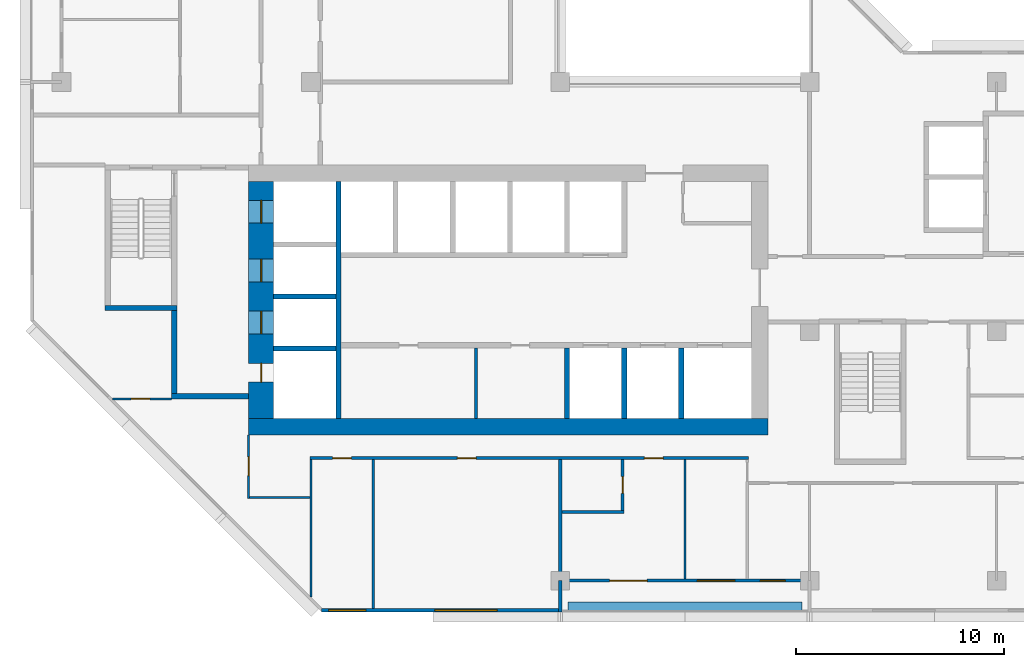
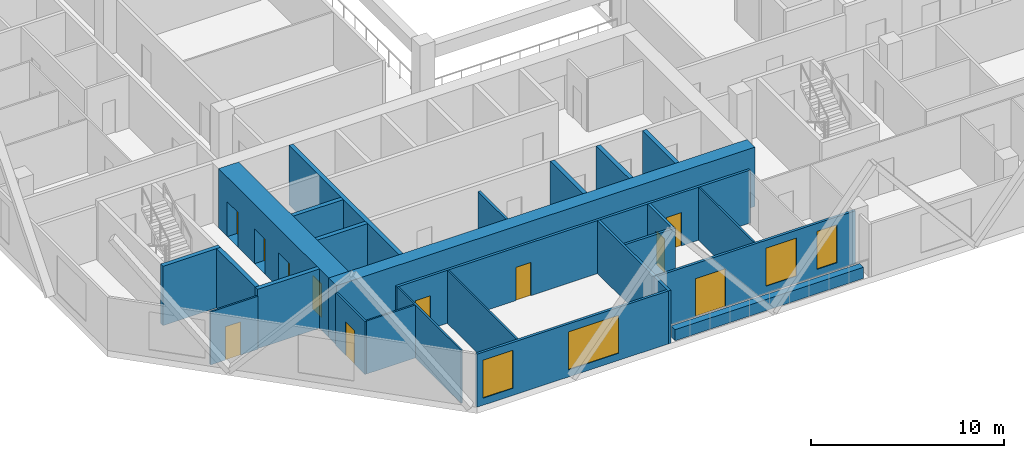
# One storey, part 4 of 14: 26 walls, 11 doors, 4 windows, 15 openings.
"""IFC4 building model written with IfcOpenShell, lengths in metres."""

import ifcopenshell
import ifcopenshell.guid

model = None  # the IFC model being written
_history = None  # IfcOwnerHistory: only IFC2X3 demands one
_inside = {}  # id of a spatial element -> (the spatial element, [elements in it])
_under = {}  # id of a project, library or spatial element -> (it, [spatial elements below it])
_declared = {}  # id of a project -> (the project, [libraries it declares])
_typed = {}  # id of a type object -> (the type object, [elements of that type])
_made_of = {}  # id of a material, layer set ... -> (it, [elements and type objects made of it])


def new_model(schema):
    """Start an empty IFC model of exactly this schema.

    Asked for "IFC4X3", IfcOpenShell would pick the latest addendum, in which some entities
    have other attributes; the version numbers below select the first issue.
    IFC2X3 requires an IfcOwnerHistory on every rooted entity: one is made here for all.
    """
    global model, _history
    if schema == "IFC4X3":
        model = ifcopenshell.file(schema_version=(4, 3, 0, 0))
    else:
        model = ifcopenshell.file(schema=schema)
    _inside.clear()
    _under.clear()
    _declared.clear()
    _typed.clear()
    _made_of.clear()
    _history = None
    if model.schema == "IFC2X3":
        org = make("IfcOrganization", Name="unknown")
        user = make(
            "IfcPersonAndOrganization",
            ThePerson=make("IfcPerson", FamilyName="unknown"),
            TheOrganization=org,
        )
        app = make(
            "IfcApplication",
            ApplicationDeveloper=org,
            Version="unknown",
            ApplicationFullName="unknown",
            ApplicationIdentifier="unknown",
        )
        _history = make(
            "IfcOwnerHistory",
            OwningUser=user,
            OwningApplication=app,
            ChangeAction="ADDED",
            CreationDate=0,
        )
    return model


def make(cls, **values):
    """One entity of the class cls with the attributes given. An attribute that is None is left unset."""
    return model.create_entity(
        cls, **{name: value for name, value in values.items() if value is not None}
    )


def rooted(cls, **values):
    """An entity with a GlobalId (a new one), such as an element, a storey or a relation."""
    return make(cls, GlobalId=ifcopenshell.guid.new(), OwnerHistory=_history, **values)


def si_unit(unit_type, name, prefix=None):
    """IfcSIUnit, for example si_unit("LENGTHUNIT", "METRE", prefix="MILLI")."""
    return make("IfcSIUnit", UnitType=unit_type, Prefix=prefix, Name=name)


def assignment(units):
    """IfcUnitAssignment: the units of a project."""
    return None if units is None else make("IfcUnitAssignment", Units=units)


def point(xyz):
    """IfcCartesianPoint."""
    return None if xyz is None else make("IfcCartesianPoint", Coordinates=xyz)


def direction(xyz):
    """IfcDirection."""
    return None if xyz is None else make("IfcDirection", DirectionRatios=xyz)


def frame(location, z_axis=None, x_axis=None):
    """IfcAxis2Placement3D, a coordinate frame: its origin and axes. An axis left out is left unset."""
    return make(
        "IfcAxis2Placement3D",
        Location=point(location),
        Axis=direction(z_axis),
        RefDirection=direction(x_axis),
    )


def frame_2d(location, x_axis=None):
    """IfcAxis2Placement2D, a coordinate frame in the plane: its origin and x axis."""
    return make(
        "IfcAxis2Placement2D", Location=point(location), RefDirection=direction(x_axis)
    )


def origin():
    """The frame at (0, 0, 0) with its axes left unset."""
    return frame((0.0, 0.0, 0.0))


def place(relative_to, where):
    """IfcLocalPlacement: puts the frame where relative to a parent placement (None: the world)."""
    return make(
        "IfcLocalPlacement", PlacementRelTo=relative_to, RelativePlacement=where
    )


def context(
    kind, dimensions, precision=None, world=None, true_north=None, identifier=None
):
    """IfcGeometricRepresentationContext, for example the 3D "Model" context."""
    return make(
        "IfcGeometricRepresentationContext",
        ContextIdentifier=identifier,
        ContextType=kind,
        CoordinateSpaceDimension=dimensions,
        Precision=precision,
        WorldCoordinateSystem=world,
        TrueNorth=true_north,
    )


def subcontext(parent, identifier, kind, view, scale=None):
    """IfcGeometricRepresentationSubContext, for example "Body" below "Model"."""
    return make(
        "IfcGeometricRepresentationSubContext",
        ContextIdentifier=identifier,
        ContextType=kind,
        ParentContext=parent,
        TargetScale=scale,
        TargetView=view,
    )


def project(units=None, contexts=None):
    """IfcProject with its units and contexts."""
    return rooted(
        "IfcProject",
        Name="project",
        RepresentationContexts=contexts,
        UnitsInContext=assignment(units),
    )


def spatial(cls, under=None, at=None, **own):
    """A site, building, storey or space (cls), placed at a placement, below another one or the project."""
    s = rooted(cls, ObjectPlacement=at, **own)
    if under is not None:
        _under.setdefault(under.id(), (under, []))[1].append(s)
    return s


def profile(cls, at=None, kind="AREA", **sizes):
    """A parametric profile (cls). Its sizes go by their IFC names, for example OverallWidth=200.0."""
    return make(cls, ProfileType=kind, Position=at, **sizes)


def rectangle(**sizes):
    """IfcRectangleProfileDef."""
    return profile("IfcRectangleProfileDef", **sizes)


def extrude(swept, where, along, depth):
    """IfcExtrudedAreaSolid: the profile swept, set in the frame where, extruded along a direction by depth."""
    return make(
        "IfcExtrudedAreaSolid",
        SweptArea=swept,
        Position=where,
        ExtrudedDirection=direction(along),
        Depth=depth,
    )


def shape(context_of_items, identifier, shape_type, items):
    """IfcShapeRepresentation: the items that make up one representation, for example the "Body"."""
    return make(
        "IfcShapeRepresentation",
        ContextOfItems=context_of_items,
        RepresentationIdentifier=identifier,
        RepresentationType=shape_type,
        Items=items,
    )


def material(Name=None, Category=None):
    """IfcMaterial."""
    return make("IfcMaterial", Name=Name, Category=Category)


def layer(
    of_material, thickness, ventilated=None, Name=None, Category=None, Priority=None
):
    """IfcMaterialLayer: one layer of a wall or slab, of a material (None: an air gap)."""
    return make(
        "IfcMaterialLayer",
        Material=of_material,
        LayerThickness=thickness,
        IsVentilated=ventilated,
        Name=Name,
        Category=Category,
        Priority=Priority,
    )


def layer_set(layers, Name=None):
    """IfcMaterialLayerSet."""
    return make("IfcMaterialLayerSet", MaterialLayers=layers, LayerSetName=Name)


def made_of(thing, what):
    """Note that an element or type object is made of a material, layer set ...; save() writes the relation."""
    if what is not None:
        _made_of.setdefault(what.id(), (what, []))[1].append(thing)
    return thing


def type_object(cls, material=None, **own):
    """A type object (cls), such as IfcWallType, which elements share."""
    return made_of(rooted(cls, **own), material)


def element(
    cls,
    number,
    at=None,
    inside=None,
    cuts=None,
    type_object=None,
    material=None,
    context=None,
    identifier="Body",
    shape_type=None,
    held_by="IfcProductDefinitionShape",
    body=None,
    shapes=None,
    **own,
):
    """One element of the class cls, such as IfcWall. Its Tag is "e" and its number.

    at: its placement. inside: the storey or other place that contains it. cuts: it is an
    opening in that element (IfcRelVoidsElement). A single representation is given by context,
    identifier, shape_type and body (its items); several are given by shapes. held_by: the class
    of the entity that holds the representations. save() writes the other relations.
    """
    e = rooted(cls, Tag="e%d" % number, ObjectPlacement=at, **own)
    if body is not None:
        shapes = [shape(context, identifier, shape_type, body)]
    if shapes is not None:
        e.Representation = make(held_by, Representations=shapes)
    if inside is not None:
        _inside.setdefault(inside.id(), (inside, []))[1].append(e)
    if cuts is not None:
        rooted(
            "IfcRelVoidsElement", RelatingBuildingElement=cuts, RelatedOpeningElement=e
        )
    if type_object is not None:
        _typed.setdefault(type_object.id(), (type_object, []))[1].append(e)
    return made_of(e, material)


def fill(opening, filler):
    """IfcRelFillsElement: the door or window that sits in an opening."""
    return rooted(
        "IfcRelFillsElement",
        RelatingOpeningElement=opening,
        RelatedBuildingElement=filler,
    )


def aggregate(whole, parts):
    """IfcRelAggregates: a whole, such as a stair, and the parts it consists of."""
    return rooted("IfcRelAggregates", RelatingObject=whole, RelatedObjects=parts)


def save(model, path):
    """Write the relations noted so far, then the file.

    IfcRelAggregates (storeys below a building ...), IfcRelContainedInSpatialStructure (elements
    in a storey), IfcRelDefinesByType, IfcRelAssociatesMaterial and IfcRelDeclares: one each for
    every whole, place, type object, material and project.
    """
    for whole, parts in _under.values():
        aggregate(whole, parts)
    for where, things in _inside.values():
        rooted(
            "IfcRelContainedInSpatialStructure",
            RelatedElements=things,
            RelatingStructure=where,
        )
    for kind, things in _typed.values():
        rooted("IfcRelDefinesByType", RelatedObjects=things, RelatingType=kind)
    for what, things in _made_of.values():
        rooted("IfcRelAssociatesMaterial", RelatedObjects=things, RelatingMaterial=what)
    for by, libraries in _declared.values():
        rooted("IfcRelDeclares", RelatingContext=by, RelatedDefinitions=libraries)
    model.write(path)


model = new_model("IFC4")

# Units and contexts
model_context = context("Model", 3, precision=1e-05, world=origin(), true_north=direction((0.0, 1.0)))
body_context = subcontext(model_context, "Body", "Model", "MODEL_VIEW")
ifc_project = project(units=[si_unit("LENGTHUNIT", "METRE"), si_unit("AREAUNIT", "SQUARE_METRE"), si_unit("VOLUMEUNIT", "CUBIC_METRE"), si_unit("PLANEANGLEUNIT", "RADIAN"), si_unit("MASSUNIT", "GRAM", prefix="KILO")], contexts=[model_context])

# Site, building, storey
site_placement = place(None, origin())
site = spatial("IfcSite", under=ifc_project, at=site_placement, CompositionType="ELEMENT")
building_placement = place(site_placement, origin())
building = spatial("IfcBuilding", under=site, at=building_placement, Name="Chenar Terraces", CompositionType="ELEMENT")
storey_placement = place(building_placement, frame((0.0, 0.0, 157.39990234375)))
storey = spatial("IfcBuildingStorey", under=building, at=storey_placement, Name="L35", CompositionType="ELEMENT", Elevation=157.39990234375)

# Wall
ifc_material_1 = material(Name="Gypsum board on steel studs", Category="steel")
ifc_layer_1 = layer(ifc_material_1, 0.14990234375)
ifc_layer_set_1 = layer_set([ifc_layer_1], Name="Gypsum board on steel studs")
wall_type_1 = type_object("IfcWallType", Name="Core partition 150 gypsum board", PredefinedType="PARTITIONING", material=ifc_layer_set_1)
wall_1_placement = place(storey_placement, frame((19.949951171875, 7.800048828125, 0.0), z_axis=(0.0, 0.0, 1.0), x_axis=(0.0, 1.0, 0.0)))
element("IfcWall", 1, at=wall_1_placement, inside=storey, type_object=wall_type_1, Name="Core partition CP1 freed bay wall", PredefinedType="PARTITIONING", context=body_context, shape_type="SweptSolid", body=[
    extrude(rectangle(XDim=3.39990234375, YDim=0.14990234375, at=frame_2d((1.699951171875, 0.0))), origin(), (0.0, 0.0, 1.0), 3.35009765625),
])

# Wall, openings, doors
ifc_material_2 = material(Name="Concrete C60/75", Category="concrete")
ifc_layer_2 = layer(ifc_material_2, 1.199951171875)
ifc_layer_set_2 = layer_set([ifc_layer_2], Name="Concrete C60/75")
wall_type_2 = type_object("IfcWallType", Name="Core wall 1200 Concrete C60/75", PredefinedType="SHEAR", material=ifc_layer_set_2)
wall_2_placement = place(storey_placement, frame((9.60009765625, 7.800048828125, 0.0), z_axis=(0.0, 0.0, 1.0), x_axis=(0.0, 1.0, 0.0)))
wall_2 = element("IfcWall", 2, at=wall_2_placement, inside=storey, type_object=wall_type_2, Name="Core wall W L35", PredefinedType="SHEAR", context=body_context, shape_type="SweptSolid", body=[
    extrude(rectangle(XDim=11.39990234375, YDim=1.199951171875, at=frame_2d((5.699951171875, 0.0))), origin(), (0.0, 0.0, 1.0), 3.75),
])
opening_1_placement = place(wall_2_placement, frame((4.074951171875, 0.0, 0.0)))
opening_1 = element("IfcOpeningElement", 3, at=opening_1_placement, cuts=wall_2, Name="Opening DL35-LD5", PredefinedType="OPENING", context=body_context, shape_type="SweptSolid", body=[
    extrude(rectangle(XDim=1.10009765625, YDim=2.199951171875, at=frame_2d((0.550048828125, 1.10009765625))), frame((0.0, 0.60986328125, 0.0), z_axis=(0.0, -1.0, 0.0), x_axis=(1.0, 0.0, 0.0)), (0.0, 0.0, 1.0), 1.219970703125),
])
opening_2_placement = place(wall_2_placement, frame((6.574951171875, 0.0, 0.0)))
opening_2 = element("IfcOpeningElement", 4, at=opening_2_placement, cuts=wall_2, Name="Opening DL35-LD6", PredefinedType="OPENING", context=body_context, shape_type="SweptSolid", body=[
    extrude(rectangle(XDim=1.10009765625, YDim=2.199951171875, at=frame_2d((0.550048828125, 1.10009765625))), frame((0.0, 0.60986328125, 0.0), z_axis=(0.0, -1.0, 0.0), x_axis=(1.0, 0.0, 0.0)), (0.0, 0.0, 1.0), 1.219970703125),
])
opening_3_placement = place(wall_2_placement, frame((9.39990234375, 0.0, 0.0)))
opening_3 = element("IfcOpeningElement", 5, at=opening_3_placement, cuts=wall_2, Name="Opening DL35-LD7", PredefinedType="OPENING", context=body_context, shape_type="SweptSolid", body=[
    extrude(rectangle(XDim=1.10009765625, YDim=2.199951171875, at=frame_2d((0.550048828125, 1.10009765625))), frame((0.0, 0.60986328125, 0.0), z_axis=(0.0, -1.0, 0.0), x_axis=(1.0, 0.0, 0.0)), (0.0, 0.0, 1.0), 1.219970703125),
])
opening_4_placement = place(wall_2_placement, frame((1.75, 0.0, 0.0)))
opening_4 = element("IfcOpeningElement", 6, at=opening_4_placement, cuts=wall_2, Name="Opening DL35-C4", PredefinedType="OPENING", context=body_context, shape_type="SweptSolid", body=[
    extrude(rectangle(XDim=0.89990234375, YDim=2.10009765625, at=frame_2d((0.449951171875, 1.050048828125))), frame((0.0, 0.60986328125, 0.0), z_axis=(0.0, -1.0, 0.0), x_axis=(1.0, 0.0, 0.0)), (0.0, 0.0, 1.0), 1.219970703125),
])
ifc_material_3 = material(Name="Stainless steel", Category="steel")
door_type_1 = type_object("IfcDoorType", Name="Lift landing door 1100 x 2200 sliding", OperationType="DOUBLE_DOOR_SLIDING", PredefinedType="DOOR", material=ifc_material_3)
door_1_placement = place(opening_1_placement, origin())
door_1 = element("IfcDoor", 7, at=door_1_placement, inside=storey, type_object=door_type_1, Name="Landing door S1", OperationType="DOUBLE_DOOR_SLIDING", OverallHeight=2.199951171875, OverallWidth=1.10009765625, PredefinedType="DOOR", context=body_context, shape_type="SweptSolid", body=[
    extrude(rectangle(XDim=1.10009765625, YDim=2.199951171875, at=frame_2d((0.550048828125, 1.10009765625))), frame((0.0, 0.02490234375, 0.0), z_axis=(0.0, -1.0, 0.0), x_axis=(1.0, 0.0, 0.0)), (0.0, 0.0, 1.0), 0.050048828125),
])
fill(opening_1, door_1)
door_2_placement = place(opening_2_placement, origin())
door_2 = element("IfcDoor", 8, at=door_2_placement, inside=storey, type_object=door_type_1, Name="Landing door F1", OperationType="DOUBLE_DOOR_SLIDING", OverallHeight=2.199951171875, OverallWidth=1.10009765625, PredefinedType="DOOR", context=body_context, shape_type="SweptSolid", body=[
    extrude(rectangle(XDim=1.10009765625, YDim=2.199951171875, at=frame_2d((0.550048828125, 1.10009765625))), frame((0.0, 0.02490234375, 0.0), z_axis=(0.0, -1.0, 0.0), x_axis=(1.0, 0.0, 0.0)), (0.0, 0.0, 1.0), 0.050048828125),
])
fill(opening_2, door_2)
door_3_placement = place(opening_3_placement, origin())
door_3 = element("IfcDoor", 9, at=door_3_placement, inside=storey, type_object=door_type_1, Name="Landing door F2", OperationType="DOUBLE_DOOR_SLIDING", OverallHeight=2.199951171875, OverallWidth=1.10009765625, PredefinedType="DOOR", context=body_context, shape_type="SweptSolid", body=[
    extrude(rectangle(XDim=1.10009765625, YDim=2.199951171875, at=frame_2d((0.550048828125, 1.10009765625))), frame((0.0, 0.02490234375, 0.0), z_axis=(0.0, -1.0, 0.0), x_axis=(1.0, 0.0, 0.0)), (0.0, 0.0, 1.0), 0.050048828125),
])
fill(opening_3, door_3)
ifc_material_4 = material(Name="Steel-framed fire-resisting door leaf", Category="steel")
door_type_2 = type_object("IfcDoorType", Name="Riser fire door FD60 900 x 2100", OperationType="SINGLE_SWING_LEFT", PredefinedType="DOOR", material=ifc_material_4)
door_4_placement = place(opening_4_placement, frame((0.89990234375, 0.0, 0.0), z_axis=(0.0, 0.0, 1.0), x_axis=(-1.0, 0.0, 0.0)))
door_4 = element("IfcDoor", 10, at=door_4_placement, inside=storey, type_object=door_type_2, Name="Riser door DL35-C4", OperationType="SINGLE_SWING_LEFT", OverallHeight=2.10009765625, OverallWidth=0.89990234375, PredefinedType="DOOR", context=body_context, shape_type="SweptSolid", body=[
    extrude(rectangle(XDim=0.89990234375, YDim=2.10009765625, at=frame_2d((0.449951171875, 1.050048828125))), frame((0.0, 0.02490234375, 0.0), z_axis=(0.0, -1.0, 0.0), x_axis=(1.0, 0.0, 0.0)), (0.0, 0.0, 1.0), 0.050048828125),
])
fill(opening_4, door_4)

# Walls
ifc_material_5 = material(Name="Concrete C60/75", Category="concrete")
ifc_layer_3 = layer(ifc_material_5, 0.25)
ifc_layer_set_3 = layer_set([ifc_layer_3], Name="Concrete C60/75")
wall_type_3 = type_object("IfcWallType", Name="Core wall 250 Concrete C60/75", PredefinedType="SHEAR", material=ifc_layer_set_3)
wall_3_placement = place(storey_placement, frame((13.324951171875, 7.800048828125, 0.0), z_axis=(0.0, 0.0, 1.0), x_axis=(0.0, 1.0, 0.0)))
element("IfcWall", 11, at=wall_3_placement, inside=storey, type_object=wall_type_3, Name="Core wall WI L35", PredefinedType="SHEAR", context=body_context, shape_type="SweptSolid", body=[
    extrude(rectangle(XDim=11.39990234375, YDim=0.25, at=frame_2d((5.699951171875, 0.0))), origin(), (0.0, 0.0, 1.0), 3.75),
])
for number, where, z_axis, x_axis, name in (
    (12, (10.199951171875, 11.175048828125, 0.0), (0.0, 0.0, 1.0), (1.0, 0.0, 0.0), "Core wall HW0 L35"),
    (13, (10.199951171875, 13.675048828125, 0.0), (0.0, 0.0, 1.0), (1.0, 0.0, 0.0), "Core wall HW1 L35"),
):
    element("IfcWall", number, at=place(storey_placement, frame(where, z_axis=z_axis, x_axis=x_axis)), inside=storey, type_object=wall_type_3, Name=name, PredefinedType="SHEAR", context=body_context, shape_type="SweptSolid", body=[
        extrude(rectangle(XDim=3.0, YDim=0.25, at=frame_2d((1.5, 0.0))), origin(), (0.0, 0.0, 1.0), 3.75),
    ])
for number, where, z_axis, x_axis, name in (
    (14, (24.324951171875, 7.800048828125, 0.0), (0.0, 0.0, 1.0), (0.0, 1.0, 0.0), "Core wall SS3 L35"),
    (15, (27.074951171875, 7.800048828125, 0.0), (0.0, 0.0, 1.0), (0.0, 1.0, 0.0), "Core wall SS4 L35"),
    (16, (29.824951171875, 7.800048828125, 0.0), (0.0, 0.0, 1.0), (0.0, 1.0, 0.0), "Core wall SS5 L35"),
):
    element("IfcWall", number, at=place(storey_placement, frame(where, z_axis=z_axis, x_axis=x_axis)), inside=storey, type_object=wall_type_3, Name=name, PredefinedType="SHEAR", context=body_context, shape_type="SweptSolid", body=[
        extrude(rectangle(XDim=3.39990234375, YDim=0.25, at=frame_2d((1.699951171875, 0.0))), origin(), (0.0, 0.0, 1.0), 3.75),
    ])
wall_4_placement = place(storey_placement, frame((2.10009765625, 13.125, 0.0), z_axis=(0.0, 0.0, 1.0), x_axis=(1.0, 0.0, 0.0)))
element("IfcWall", 17, at=wall_4_placement, inside=storey, type_object=wall_type_3, Name="Core wall ST1_S L35", PredefinedType="SHEAR", context=body_context, shape_type="SweptSolid", body=[
    extrude(rectangle(XDim=3.449951171875, YDim=0.25, at=frame_2d((1.72509765625, 0.0))), origin(), (0.0, 0.0, 1.0), 3.75),
])
wall_5_placement = place(storey_placement, frame((5.300048828125, 8.875, 0.0), z_axis=(0.0, 0.0, 1.0), x_axis=(1.0, 0.0, 0.0)))
element("IfcWall", 18, at=wall_5_placement, inside=storey, type_object=wall_type_3, Name="Core wall FFL_S L35", PredefinedType="SHEAR", context=body_context, shape_type="SweptSolid", body=[
    extrude(rectangle(XDim=3.699951171875, YDim=0.25, at=frame_2d((1.85009765625, 0.0))), origin(), (0.0, 0.0, 1.0), 3.75),
])
wall_6_placement = place(storey_placement, frame((5.425048828125, 9.0, 0.0), z_axis=(0.0, 0.0, 1.0), x_axis=(0.0, 1.0, 0.0)))
element("IfcWall", 19, at=wall_6_placement, inside=storey, type_object=wall_type_3, Name="Core wall FFL_W L35", PredefinedType="SHEAR", context=body_context, shape_type="SweptSolid", body=[
    extrude(rectangle(XDim=4.0, YDim=0.25, at=frame_2d((2.0, 0.0))), origin(), (0.0, 0.0, 1.0), 3.75),
])
ifc_material_6 = material(Name="Concrete C60/75", Category="concrete")
ifc_layer_4 = layer(ifc_material_6, 0.800048828125)
ifc_layer_set_4 = layer_set([ifc_layer_4], Name="Concrete C60/75")
wall_type_4 = type_object("IfcWallType", Name="Core wall 800 Concrete C60/75", PredefinedType="SHEAR", material=ifc_layer_set_4)
wall_7_placement = place(storey_placement, frame((9.0, 7.39990234375, 0.0), z_axis=(0.0, 0.0, 1.0), x_axis=(1.0, 0.0, 0.0)))
element("IfcWall", 20, at=wall_7_placement, inside=storey, type_object=wall_type_4, Name="Core wall S L35", PredefinedType="SHEAR", context=body_context, shape_type="SweptSolid", body=[
    extrude(rectangle(XDim=25.0, YDim=0.800048828125, at=frame_2d((12.5, 0.0))), origin(), (0.0, 0.0, 1.0), 3.75),
])

# Wall, openings, windows
ifc_material_7 = material(Name="Aluminium framed glazing", Category="aluminium")
ifc_layer_5 = layer(ifc_material_7, 0.14990234375)
ifc_layer_set_5 = layer_set([ifc_layer_5], Name="Aluminium framed glazing")
wall_type_5 = type_object("IfcWallType", Name="Glazed flush facade wall 150", PredefinedType="SOLIDWALL", material=ifc_layer_set_5)
wall_8_placement = place(storey_placement, frame((12.5, -1.425048828125, 0.0), z_axis=(0.0, 0.0, 1.0), x_axis=(1.0, 0.0, 0.0)))
wall_8 = element("IfcWall", 21, at=wall_8_placement, inside=storey, type_object=wall_type_5, Name="Glazed flush facade wall", PredefinedType="SOLIDWALL", context=body_context, shape_type="SweptSolid", body=[
    extrude(rectangle(XDim=11.425048828125, YDim=0.14990234375, at=frame_2d((5.71240234375, 0.0))), origin(), (0.0, 0.0, 1.0), 3.35009765625),
])
opening_5_placement = place(wall_8_placement, frame((0.35009765625, 0.0, 0.449951171875)))
opening_5 = element("IfcOpeningElement", 22, at=opening_5_placement, cuts=wall_8, Name="Opening W180x240", PredefinedType="OPENING", context=body_context, shape_type="SweptSolid", body=[
    extrude(rectangle(XDim=1.800048828125, YDim=2.39990234375, at=frame_2d((0.89990234375, 1.199951171875))), frame((0.0, 0.0849609375, 0.0), z_axis=(0.0, -1.0, 0.0), x_axis=(1.0, 0.0, 0.0)), (0.0, 0.0, 1.0), 0.169921875),
])
opening_6_placement = place(wall_8_placement, frame((5.46240234375, 0.0, 0.449951171875)))
opening_6 = element("IfcOpeningElement", 23, at=opening_6_placement, cuts=wall_8, Name="Opening W300x240", PredefinedType="OPENING", context=body_context, shape_type="SweptSolid", body=[
    extrude(rectangle(XDim=3.0, YDim=2.39990234375, at=frame_2d((1.5, 1.199951171875))), frame((0.0, 0.0849609375, 0.0), z_axis=(0.0, -1.0, 0.0), x_axis=(1.0, 0.0, 0.0)), (0.0, 0.0, 1.0), 0.169921875),
])
ifc_material_8 = material(Name="Low emissivity double glazing, aluminium frame", Category="aluminium")
window_type_1 = type_object("IfcWindowType", Name="Fixed light 1800 x 2400", PartitioningType="SINGLE_PANEL", PredefinedType="WINDOW", material=ifc_material_8)
window_1_placement = place(opening_5_placement, origin())
window_1 = element("IfcWindow", 24, at=window_1_placement, inside=storey, type_object=window_type_1, Name="Window", OverallHeight=2.39990234375, OverallWidth=1.800048828125, PartitioningType="SINGLE_PANEL", PredefinedType="WINDOW", context=body_context, shape_type="SweptSolid", body=[
    extrude(rectangle(XDim=1.800048828125, YDim=2.39990234375, at=frame_2d((0.89990234375, 1.199951171875))), frame((0.0, 0.030029296875, 0.0), z_axis=(0.0, -1.0, 0.0), x_axis=(1.0, 0.0, 0.0)), (0.0, 0.0, 1.0), 0.06005859375),
])
fill(opening_5, window_1)
ifc_material_9 = material(Name="Low emissivity double glazing, aluminium frame", Category="aluminium")
window_type_2 = type_object("IfcWindowType", Name="Fixed light 3000 x 2400", PartitioningType="SINGLE_PANEL", PredefinedType="WINDOW", material=ifc_material_9)
window_2_placement = place(opening_6_placement, origin())
window_2 = element("IfcWindow", 25, at=window_2_placement, inside=storey, type_object=window_type_2, Name="Window", OverallHeight=2.39990234375, OverallWidth=3.0, PartitioningType="SINGLE_PANEL", PredefinedType="WINDOW", context=body_context, shape_type="SweptSolid", body=[
    extrude(rectangle(XDim=3.0, YDim=2.39990234375, at=frame_2d((1.5, 1.199951171875))), frame((0.0, 0.030029296875, 0.0), z_axis=(0.0, -1.0, 0.0), x_axis=(1.0, 0.0, 0.0)), (0.0, 0.0, 1.0), 0.06005859375),
])
fill(opening_6, window_2)

# Wall, openings, windows, door
ifc_material_10 = material(Name="Aluminium framed glazing", Category="aluminium")
ifc_layer_6 = layer(ifc_material_10, 0.14990234375)
ifc_layer_set_6 = layer_set([ifc_layer_6], Name="Aluminium framed glazing")
wall_type_6 = type_object("IfcWallType", Name="Glazed loggia back wall 150", PredefinedType="SOLIDWALL", material=ifc_layer_set_6)
wall_9_placement = place(storey_placement, frame((24.074951171875, 0.0, 0.0), z_axis=(0.0, 0.0, 1.0), x_axis=(1.0, 0.0, 0.0)))
wall_9 = element("IfcWall", 26, at=wall_9_placement, inside=storey, type_object=wall_type_6, Name="Glazed loggia back wall", PredefinedType="SOLIDWALL", context=body_context, shape_type="SweptSolid", body=[
    extrude(rectangle(XDim=11.85009765625, YDim=0.14990234375, at=frame_2d((5.925048828125, 0.0))), origin(), (0.0, 0.0, 1.0), 3.35009765625),
])
opening_7_placement = place(wall_9_placement, frame((2.300048828125, 0.0, 0.0)))
opening_7 = element("IfcOpeningElement", 27, at=opening_7_placement, cuts=wall_9, Name="Opening DL35-G6", PredefinedType="OPENING", context=body_context, shape_type="SweptSolid", body=[
    extrude(rectangle(XDim=1.800048828125, YDim=2.39990234375, at=frame_2d((0.89990234375, 1.199951171875))), frame((0.0, 0.0849609375, 0.0), z_axis=(0.0, -1.0, 0.0), x_axis=(1.0, 0.0, 0.0)), (0.0, 0.0, 1.0), 0.169921875),
])
opening_8_placement = place(wall_9_placement, frame((6.52490234375, 0.0, 0.449951171875)))
opening_8 = element("IfcOpeningElement", 28, at=opening_8_placement, cuts=wall_9, Name="Opening W180x240", PredefinedType="OPENING", context=body_context, shape_type="SweptSolid", body=[
    extrude(rectangle(XDim=1.800048828125, YDim=2.39990234375, at=frame_2d((0.89990234375, 1.199951171875))), frame((0.0, 0.0849609375, 0.0), z_axis=(0.0, -1.0, 0.0), x_axis=(1.0, 0.0, 0.0)), (0.0, 0.0, 1.0), 0.169921875),
])
opening_9_placement = place(wall_9_placement, frame((9.550048828125, 0.0, 0.449951171875)))
opening_9 = element("IfcOpeningElement", 29, at=opening_9_placement, cuts=wall_9, Name="Opening W120x240", PredefinedType="OPENING", context=body_context, shape_type="SweptSolid", body=[
    extrude(rectangle(XDim=1.199951171875, YDim=2.39990234375, at=frame_2d((0.60009765625, 1.199951171875))), frame((0.0, 0.0849609375, 0.0), z_axis=(0.0, -1.0, 0.0), x_axis=(1.0, 0.0, 0.0)), (0.0, 0.0, 1.0), 0.169921875),
])
ifc_material_11 = material(Name="Low emissivity double glazing, aluminium frame", Category="aluminium")
window_type_3 = type_object("IfcWindowType", Name="Fixed light 1200 x 2400", PartitioningType="SINGLE_PANEL", PredefinedType="WINDOW", material=ifc_material_11)
window_3_placement = place(opening_9_placement, origin())
window_3 = element("IfcWindow", 30, at=window_3_placement, inside=storey, type_object=window_type_3, Name="Window", OverallHeight=2.39990234375, OverallWidth=1.199951171875, PartitioningType="SINGLE_PANEL", PredefinedType="WINDOW", context=body_context, shape_type="SweptSolid", body=[
    extrude(rectangle(XDim=1.199951171875, YDim=2.39990234375, at=frame_2d((0.60009765625, 1.199951171875))), frame((0.0, 0.030029296875, 0.0), z_axis=(0.0, -1.0, 0.0), x_axis=(1.0, 0.0, 0.0)), (0.0, 0.0, 1.0), 0.06005859375),
])
fill(opening_9, window_3)
window_4_placement = place(opening_8_placement, origin())
window_4 = element("IfcWindow", 31, at=window_4_placement, inside=storey, type_object=window_type_1, Name="Window", OverallHeight=2.39990234375, OverallWidth=1.800048828125, PartitioningType="SINGLE_PANEL", PredefinedType="WINDOW", context=body_context, shape_type="SweptSolid", body=[
    extrude(rectangle(XDim=1.800048828125, YDim=2.39990234375, at=frame_2d((0.89990234375, 1.199951171875))), frame((0.0, 0.030029296875, 0.0), z_axis=(0.0, -1.0, 0.0), x_axis=(1.0, 0.0, 0.0)), (0.0, 0.0, 1.0), 0.06005859375),
])
fill(opening_8, window_4)
ifc_material_12 = material(Name="Low emissivity double glazing, aluminium frame", Category="aluminium")
door_type_3 = type_object("IfcDoorType", Name="Loggia glazed double door 1800 x 2400", OperationType="DOUBLE_DOOR_SINGLE_SWING", PredefinedType="DOOR", material=ifc_material_12)
door_5_placement = place(opening_7_placement, frame((1.800048828125, 0.0, 0.0), z_axis=(0.0, 0.0, 1.0), x_axis=(-1.0, 0.0, 0.0)))
door_5 = element("IfcDoor", 32, at=door_5_placement, inside=storey, type_object=door_type_3, Name="Loggia glazed door", OperationType="DOUBLE_DOOR_SINGLE_SWING", OverallHeight=2.39990234375, OverallWidth=1.800048828125, PredefinedType="DOOR", context=body_context, shape_type="SweptSolid", body=[
    extrude(rectangle(XDim=1.800048828125, YDim=2.39990234375, at=frame_2d((0.89990234375, 1.199951171875))), frame((0.0, 0.02490234375, 0.0), z_axis=(0.0, -1.0, 0.0), x_axis=(1.0, 0.0, 0.0)), (0.0, 0.0, 1.0), 0.050048828125),
])
fill(opening_7, door_5)

# Wall, opening, door
ifc_material_13 = material(Name="Gypsum board on steel studs", Category="steel")
ifc_layer_7 = layer(ifc_material_13, 0.10009765625)
ifc_layer_set_7 = layer_set([ifc_layer_7], Name="Gypsum board on steel studs")
wall_type_7 = type_object("IfcWallType", Name="Gypsum partition 100", PredefinedType="PARTITIONING", material=ifc_layer_set_7)
wall_10_placement = place(storey_placement, frame((2.4609375, 8.75, 0.0), z_axis=(0.0, 0.0, 1.0), x_axis=(1.0, 0.0, 0.0)))
wall_10 = element("IfcWall", 33, at=wall_10_placement, inside=storey, type_object=wall_type_7, Name="Partition L35-013", PredefinedType="PARTITIONING", context=body_context, shape_type="SweptSolid", body=[
    extrude(rectangle(XDim=2.839111328125, YDim=0.10009765625, at=frame_2d((1.41943359375, 0.0))), origin(), (0.0, 0.0, 1.0), 3.35009765625),
])
opening_10_placement = place(wall_10_placement, frame((0.888916015625, 0.0, 0.0)))
opening_10 = element("IfcOpeningElement", 34, at=opening_10_placement, cuts=wall_10, Name="Opening DL35-49", PredefinedType="OPENING", context=body_context, shape_type="SweptSolid", body=[
    extrude(rectangle(XDim=0.89990234375, YDim=2.10009765625, at=frame_2d((0.449951171875, 1.050048828125))), frame((0.0, 0.06005859375, 0.0), z_axis=(0.0, -1.0, 0.0), x_axis=(1.0, 0.0, 0.0)), (0.0, 0.0, 1.0), 0.1201171875),
])
ifc_material_14 = material(Name="Veneered timber door leaf", Category="wood")
door_type_4 = type_object("IfcDoorType", Name="Door 900 x 2100", OperationType="SINGLE_SWING_LEFT", PredefinedType="DOOR", material=ifc_material_14)
door_6_placement = place(opening_10_placement, frame((0.89990234375, 0.0, 0.0), z_axis=(0.0, 0.0, 1.0), x_axis=(-1.0, 0.0, 0.0)))
door_6 = element("IfcDoor", 35, at=door_6_placement, inside=storey, type_object=door_type_4, Name="Door DL35-49", OperationType="SINGLE_SWING_RIGHT", OverallHeight=2.10009765625, OverallWidth=0.89990234375, PredefinedType="DOOR", context=body_context, shape_type="SweptSolid", body=[
    extrude(rectangle(XDim=0.89990234375, YDim=2.10009765625, at=frame_2d((0.449951171875, 1.050048828125))), frame((0.0, 0.02490234375, 0.0), z_axis=(0.0, -1.0, 0.0), x_axis=(1.0, 0.0, 0.0)), (0.0, 0.0, 1.0), 0.050048828125),
])
fill(opening_10, door_6)

wall_11_placement = place(storey_placement, frame((9.0, 3.949951171875, 0.0), z_axis=(0.0, 0.0, 1.0), x_axis=(0.0, 1.0, 0.0)))
wall_11 = element("IfcWall", 36, at=wall_11_placement, inside=storey, type_object=wall_type_7, Name="Partition L35-026", PredefinedType="PARTITIONING", context=body_context, shape_type="SweptSolid", body=[
    extrude(rectangle(XDim=3.050048828125, YDim=0.10009765625, at=frame_2d((1.52490234375, 0.0))), origin(), (0.0, 0.0, 1.0), 3.35009765625),
])
opening_11_placement = place(wall_11_placement, frame((1.10009765625, 0.0, 0.0)))
opening_11 = element("IfcOpeningElement", 37, at=opening_11_placement, cuts=wall_11, Name="Opening DL35-48", PredefinedType="OPENING", context=body_context, shape_type="SweptSolid", body=[
    extrude(rectangle(XDim=0.89990234375, YDim=2.10009765625, at=frame_2d((0.449951171875, 1.050048828125))), frame((0.0, 0.06005859375, 0.0), z_axis=(0.0, -1.0, 0.0), x_axis=(1.0, 0.0, 0.0)), (0.0, 0.0, 1.0), 0.1201171875),
])
door_7_placement = place(opening_11_placement, origin())
door_7 = element("IfcDoor", 38, at=door_7_placement, inside=storey, type_object=door_type_4, Name="Door DL35-48", OperationType="SINGLE_SWING_LEFT", OverallHeight=2.10009765625, OverallWidth=0.89990234375, PredefinedType="DOOR", context=body_context, shape_type="SweptSolid", body=[
    extrude(rectangle(XDim=0.89990234375, YDim=2.10009765625, at=frame_2d((0.449951171875, 1.050048828125))), frame((0.0, 0.02490234375, 0.0), z_axis=(0.0, -1.0, 0.0), x_axis=(1.0, 0.0, 0.0)), (0.0, 0.0, 1.0), 0.050048828125),
])
fill(opening_11, door_7)

# Walls
wall_12_placement = place(storey_placement, frame((9.050048828125, 4.0, 0.0), z_axis=(0.0, 0.0, 1.0), x_axis=(1.0, 0.0, 0.0)))
element("IfcWall", 39, at=wall_12_placement, inside=storey, type_object=wall_type_7, Name="Partition L35-027", PredefinedType="PARTITIONING", context=body_context, shape_type="SweptSolid", body=[
    extrude(rectangle(XDim=2.89990234375, YDim=0.10009765625, at=frame_2d((1.449951171875, 0.0))), origin(), (0.0, 0.0, 1.0), 3.35009765625),
])
wall_13_placement = place(storey_placement, frame((12.0, -0.787841796875, 0.0), z_axis=(0.0, 0.0, 1.0), x_axis=(0.0, 1.0, 0.0)))
element("IfcWall", 40, at=wall_13_placement, inside=storey, type_object=wall_type_7, Name="Partition L35-030", PredefinedType="PARTITIONING", context=body_context, shape_type="SweptSolid", body=[
    extrude(rectangle(XDim=6.61279296875, YDim=0.10009765625, at=frame_2d((3.306396484375, 0.0))), origin(), (0.0, 0.0, 1.0), 3.35009765625),
])
wall_14_placement = place(storey_placement, frame((15.0, -1.35009765625, 0.0), z_axis=(0.0, 0.0, 1.0), x_axis=(0.0, 1.0, 0.0)))
element("IfcWall", 41, at=wall_14_placement, inside=storey, type_object=wall_type_7, Name="Partition L35-041", PredefinedType="PARTITIONING", context=body_context, shape_type="SweptSolid", body=[
    extrude(rectangle(XDim=7.175048828125, YDim=0.10009765625, at=frame_2d((3.58740234375, 0.0))), origin(), (0.0, 0.0, 1.0), 3.35009765625),
])
wall_15_placement = place(storey_placement, frame((30.0, 0.073974609375, 0.0), z_axis=(0.0, 0.0, 1.0), x_axis=(0.0, 1.0, 0.0)))
element("IfcWall", 42, at=wall_15_placement, inside=storey, type_object=wall_type_7, Name="Partition L35-056", PredefinedType="PARTITIONING", context=body_context, shape_type="SweptSolid", body=[
    extrude(rectangle(XDim=5.7509765625, YDim=0.10009765625, at=frame_2d((2.87548828125, 0.0))), origin(), (0.0, 0.0, 1.0), 3.35009765625),
])
ifc_material_15 = material(Name="Terracotta cladding on insulated backing", Category="masonry")
ifc_layer_8 = layer(ifc_material_15, 0.14990234375)
ifc_layer_set_8 = layer_set([ifc_layer_8], Name="Terracotta cladding on insulated backing")
wall_type_8 = type_object("IfcWallType", Name="Loggia return wall 150", PredefinedType="SOLIDWALL", material=ifc_layer_set_8)
wall_16_placement = place(storey_placement, frame((24.0, -1.5, 0.0), z_axis=(0.0, 0.0, 1.0), x_axis=(0.0, 1.0, 0.0)))
element("IfcWall", 43, at=wall_16_placement, inside=storey, type_object=wall_type_8, Name="Loggia return wall", PredefinedType="SOLIDWALL", context=body_context, shape_type="SweptSolid", body=[
    extrude(rectangle(XDim=1.5, YDim=0.14990234375, at=frame_2d((0.75, 0.0))), origin(), (0.0, 0.0, 1.0), 3.35009765625),
])
ifc_material_16 = material(Name="GRP planter trough")
ifc_layer_9 = layer(ifc_material_16, 0.39990234375)
ifc_layer_set_9 = layer_set([ifc_layer_9], Name="GRP planter trough")
wall_type_9 = type_object("IfcWallType", Name="Vertical greenery planter 400", PredefinedType="SOLIDWALL", material=ifc_layer_set_9)
wall_17_placement = place(storey_placement, frame((24.375, -1.22900390625, 0.0), z_axis=(0.0, 0.0, 1.0), x_axis=(1.0, 0.0, 0.0)))
element("IfcWall", 44, at=wall_17_placement, inside=storey, type_object=wall_type_9, Name="Vertical greenery planter", PredefinedType="SOLIDWALL", context=body_context, shape_type="SweptSolid", body=[
    extrude(rectangle(XDim=11.25, YDim=0.39990234375, at=frame_2d((5.625, 0.0))), origin(), (0.0, 0.0, 1.0), 0.7001953125),
])

# Wall, openings, doors
ifc_material_17 = material(Name="Moisture-resistant gypsum board on steel studs", Category="steel")
ifc_layer_10 = layer(ifc_material_17, 0.14990234375)
ifc_layer_set_10 = layer_set([ifc_layer_10], Name="Moisture-resistant gypsum board on steel studs")
wall_type_10 = type_object("IfcWallType", Name="Wet-room partition 150", PredefinedType="PARTITIONING", material=ifc_layer_set_10)
wall_18_placement = place(storey_placement, frame((11.949951171875, 5.89990234375, 0.0), z_axis=(0.0, 0.0, 1.0), x_axis=(1.0, 0.0, 0.0)))
wall_18 = element("IfcWall", 45, at=wall_18_placement, inside=storey, type_object=wall_type_10, Name="Partition L35-029", PredefinedType="PARTITIONING", context=body_context, shape_type="SweptSolid", body=[
    extrude(rectangle(XDim=21.10009765625, YDim=0.14990234375, at=frame_2d((10.550048828125, 0.0))), origin(), (0.0, 0.0, 1.0), 3.35009765625),
])
opening_12_placement = place(wall_18_placement, frame((1.10009765625, 0.0, 0.0)))
opening_12 = element("IfcOpeningElement", 46, at=opening_12_placement, cuts=wall_18, Name="Opening DL35-42", PredefinedType="OPENING", context=body_context, shape_type="SweptSolid", body=[
    extrude(rectangle(XDim=0.89990234375, YDim=2.10009765625, at=frame_2d((0.449951171875, 1.050048828125))), frame((0.0, 0.0849609375, 0.0), z_axis=(0.0, -1.0, 0.0), x_axis=(1.0, 0.0, 0.0)), (0.0, 0.0, 1.0), 0.169921875),
])
opening_13_placement = place(wall_18_placement, frame((16.10009765625, 0.0, 0.0)))
opening_13 = element("IfcOpeningElement", 47, at=opening_13_placement, cuts=wall_18, Name="Opening DL35-50", PredefinedType="OPENING", context=body_context, shape_type="SweptSolid", body=[
    extrude(rectangle(XDim=0.89990234375, YDim=2.10009765625, at=frame_2d((0.449951171875, 1.050048828125))), frame((0.0, 0.0849609375, 0.0), z_axis=(0.0, -1.0, 0.0), x_axis=(1.0, 0.0, 0.0)), (0.0, 0.0, 1.0), 0.169921875),
])
opening_14_placement = place(wall_18_placement, frame((7.10009765625, 0.0, 0.0)))
opening_14 = element("IfcOpeningElement", 48, at=opening_14_placement, cuts=wall_18, Name="Opening DL35-55", PredefinedType="OPENING", context=body_context, shape_type="SweptSolid", body=[
    extrude(rectangle(XDim=0.89990234375, YDim=2.10009765625, at=frame_2d((0.449951171875, 1.050048828125))), frame((0.0, 0.0849609375, 0.0), z_axis=(0.0, -1.0, 0.0), x_axis=(1.0, 0.0, 0.0)), (0.0, 0.0, 1.0), 0.169921875),
])
door_8_placement = place(opening_12_placement, frame((0.89990234375, 0.0, 0.0), z_axis=(0.0, 0.0, 1.0), x_axis=(-1.0, 0.0, 0.0)))
door_8 = element("IfcDoor", 49, at=door_8_placement, inside=storey, type_object=door_type_4, Name="Door DL35-42", OperationType="SINGLE_SWING_RIGHT", OverallHeight=2.10009765625, OverallWidth=0.89990234375, PredefinedType="DOOR", context=body_context, shape_type="SweptSolid", body=[
    extrude(rectangle(XDim=0.89990234375, YDim=2.10009765625, at=frame_2d((0.449951171875, 1.050048828125))), frame((0.0, 0.02490234375, 0.0), z_axis=(0.0, -1.0, 0.0), x_axis=(1.0, 0.0, 0.0)), (0.0, 0.0, 1.0), 0.050048828125),
])
fill(opening_12, door_8)
door_9_placement = place(opening_13_placement, frame((0.89990234375, 0.0, 0.0), z_axis=(0.0, 0.0, 1.0), x_axis=(-1.0, 0.0, 0.0)))
door_9 = element("IfcDoor", 50, at=door_9_placement, inside=storey, type_object=door_type_4, Name="Door DL35-50", OperationType="SINGLE_SWING_RIGHT", OverallHeight=2.10009765625, OverallWidth=0.89990234375, PredefinedType="DOOR", context=body_context, shape_type="SweptSolid", body=[
    extrude(rectangle(XDim=0.89990234375, YDim=2.10009765625, at=frame_2d((0.449951171875, 1.050048828125))), frame((0.0, 0.02490234375, 0.0), z_axis=(0.0, -1.0, 0.0), x_axis=(1.0, 0.0, 0.0)), (0.0, 0.0, 1.0), 0.050048828125),
])
fill(opening_13, door_9)
door_10_placement = place(opening_14_placement, frame((0.89990234375, 0.0, 0.0), z_axis=(0.0, 0.0, 1.0), x_axis=(-1.0, 0.0, 0.0)))
door_10 = element("IfcDoor", 51, at=door_10_placement, inside=storey, type_object=door_type_4, Name="Door DL35-55", OperationType="SINGLE_SWING_RIGHT", OverallHeight=2.10009765625, OverallWidth=0.89990234375, PredefinedType="DOOR", context=body_context, shape_type="SweptSolid", body=[
    extrude(rectangle(XDim=0.89990234375, YDim=2.10009765625, at=frame_2d((0.449951171875, 1.050048828125))), frame((0.0, 0.02490234375, 0.0), z_axis=(0.0, -1.0, 0.0), x_axis=(1.0, 0.0, 0.0)), (0.0, 0.0, 1.0), 0.050048828125),
])
fill(opening_14, door_10)

# Walls
wall_19_placement = place(storey_placement, frame((24.0, 0.0, 0.0), z_axis=(0.0, 0.0, 1.0), x_axis=(0.0, 1.0, 0.0)))
element("IfcWall", 52, at=wall_19_placement, inside=storey, type_object=wall_type_10, Name="Partition L35-053", PredefinedType="PARTITIONING", context=body_context, shape_type="SweptSolid", body=[
    extrude(rectangle(XDim=5.824951171875, YDim=0.14990234375, at=frame_2d((2.91259765625, 0.0))), origin(), (0.0, 0.0, 1.0), 3.35009765625),
])
wall_20_placement = place(storey_placement, frame((24.074951171875, 3.300048828125, 0.0), z_axis=(0.0, 0.0, 1.0), x_axis=(1.0, 0.0, 0.0)))
element("IfcWall", 53, at=wall_20_placement, inside=storey, type_object=wall_type_10, Name="Partition L35-054", PredefinedType="PARTITIONING", context=body_context, shape_type="SweptSolid", body=[
    extrude(rectangle(XDim=3.0, YDim=0.14990234375, at=frame_2d((1.5, 0.0))), origin(), (0.0, 0.0, 1.0), 3.35009765625),
])

# Wall, opening, door
wall_21_placement = place(storey_placement, frame((27.0, 3.375, 0.0), z_axis=(0.0, 0.0, 1.0), x_axis=(0.0, 1.0, 0.0)))
wall_21 = element("IfcWall", 54, at=wall_21_placement, inside=storey, type_object=wall_type_10, Name="Partition L35-055", PredefinedType="PARTITIONING", context=body_context, shape_type="SweptSolid", body=[
    extrude(rectangle(XDim=2.449951171875, YDim=0.14990234375, at=frame_2d((1.22509765625, 0.0))), origin(), (0.0, 0.0, 1.0), 3.35009765625),
])
opening_15_placement = place(wall_21_placement, frame((0.824951171875, 0.0, 0.0)))
opening_15 = element("IfcOpeningElement", 55, at=opening_15_placement, cuts=wall_21, Name="Opening DL35-52", PredefinedType="OPENING", context=body_context, shape_type="SweptSolid", body=[
    extrude(rectangle(XDim=0.800048828125, YDim=2.10009765625, at=frame_2d((0.39990234375, 1.050048828125))), frame((0.0, 0.0849609375, 0.0), z_axis=(0.0, -1.0, 0.0), x_axis=(1.0, 0.0, 0.0)), (0.0, 0.0, 1.0), 0.169921875),
])
ifc_material_18 = material(Name="Veneered timber door leaf", Category="wood")
door_type_5 = type_object("IfcDoorType", Name="Door 800 x 2100", OperationType="SINGLE_SWING_LEFT", PredefinedType="DOOR", material=ifc_material_18)
door_11_placement = place(opening_15_placement, origin())
door_11 = element("IfcDoor", 56, at=door_11_placement, inside=storey, type_object=door_type_5, Name="Door DL35-52", OperationType="SINGLE_SWING_RIGHT", OverallHeight=2.10009765625, OverallWidth=0.800048828125, PredefinedType="DOOR", context=body_context, shape_type="SweptSolid", body=[
    extrude(rectangle(XDim=0.800048828125, YDim=2.10009765625, at=frame_2d((0.39990234375, 1.050048828125))), frame((0.0, 0.02490234375, 0.0), z_axis=(0.0, -1.0, 0.0), x_axis=(1.0, 0.0, 0.0)), (0.0, 0.0, 1.0), 0.050048828125),
])
fill(opening_15, door_11)

save(model, "model.ifc")
